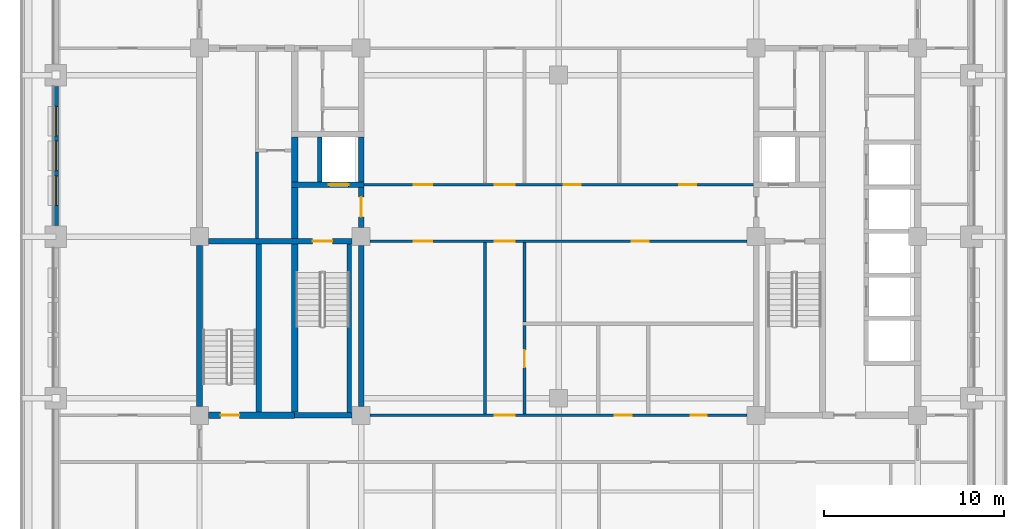
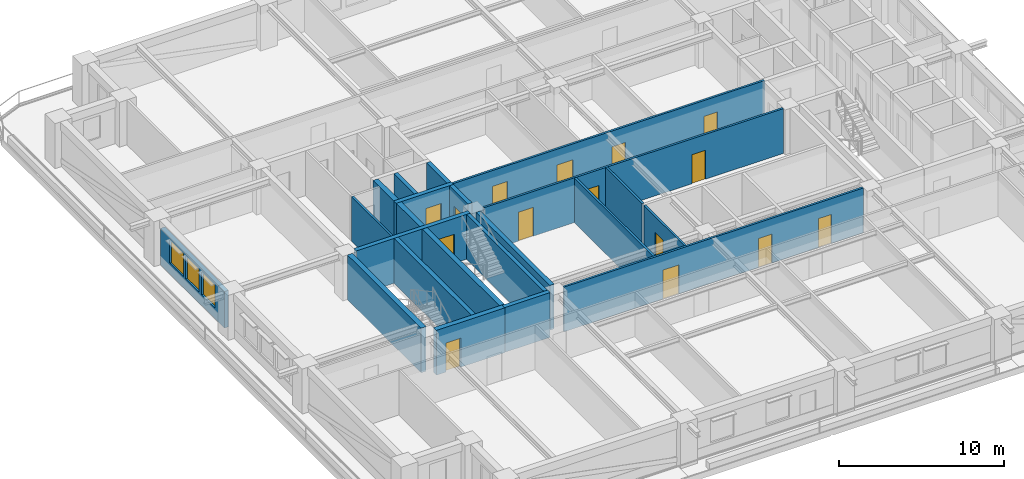
# One storey, part 3 of 15: 22 walls, 15 doors, 3 windows, 18 openings.
"""IFC4 building model written with IfcOpenShell, lengths in metres."""

from ifc_helpers import new_model, si_unit, direction, frame, frame_2d, origin, place, context, subcontext, project, spatial, rectangle, extrude, material, layer, layer_set, type_object, element, fill, save


model = new_model("IFC4")

# Units and contexts
model_context = context("Model", 3, precision=1e-05, world=origin(), true_north=direction((0.0, 1.0)))
body_context = subcontext(model_context, "Body", "Model", "MODEL_VIEW")
ifc_project = project(units=[si_unit("LENGTHUNIT", "METRE"), si_unit("AREAUNIT", "SQUARE_METRE"), si_unit("VOLUMEUNIT", "CUBIC_METRE"), si_unit("PLANEANGLEUNIT", "RADIAN"), si_unit("MASSUNIT", "GRAM", prefix="KILO")], contexts=[model_context])

# Site, building, storey
site_placement = place(None, origin())
site = spatial("IfcSite", under=ifc_project, at=site_placement, CompositionType="ELEMENT")
building_placement = place(site_placement, origin())
building = spatial("IfcBuilding", under=site, at=building_placement, Name="Zulmaris Gate Convention Tower", CompositionType="ELEMENT")
storey_placement = place(building_placement, frame((0.0, 0.0, 132.059814453125)))
storey = spatial("IfcBuildingStorey", under=building, at=storey_placement, Name="L33", CompositionType="ELEMENT", Elevation=132.059814453125)

# Walls
ifc_material_1 = material(Name="Concrete C50/60", Category="concrete")
ifc_layer_1 = layer(ifc_material_1, 0.25, Name="Concrete C50/60")
ifc_layer_set_1 = layer_set([ifc_layer_1], Name="Concrete C50/60")
wall_type_1 = type_object("IfcWallType", Name="CORE-250", PredefinedType="SOLIDWALL", material=ifc_layer_set_1)
wall_1_placement = place(storey_placement, frame((-13.300048828125, 3.052001953125, 0.0), z_axis=(0.0, 0.0, 1.0), x_axis=(0.0, 1.0, 0.0)))
element("IfcWall", 1, at=wall_1_placement, inside=storey, type_object=wall_type_1, Name="WL-L33-044", PredefinedType="SOLIDWALL", context=body_context, shape_type="SweptSolid", body=[
    extrude(rectangle(XDim=2.49609375, YDim=0.25, at=frame_2d((1.248046875, 0.0))), origin(), (0.0, 0.0, 1.0), 3.320068359375),
])
wall_2_placement = place(storey_placement, frame((-11.64990234375, -9.798095703125, 0.0), z_axis=(0.0, 0.0, 1.0), x_axis=(0.0, 1.0, 0.0)))
element("IfcWall", 2, at=wall_2_placement, inside=storey, type_object=wall_type_1, Name="WL-L33-045", PredefinedType="SOLIDWALL", context=body_context, shape_type="SweptSolid", body=[
    extrude(rectangle(XDim=9.39599609375, YDim=0.25, at=frame_2d((4.697998046875, 0.0))), origin(), (0.0, 0.0, 1.0), 3.320068359375),
])
ifc_layer_2 = layer(ifc_material_1, 0.300048828125, Name="Concrete C50/60")
ifc_layer_set_2 = layer_set([ifc_layer_2], Name="Concrete C50/60")
wall_type_2 = type_object("IfcWallType", Name="CORE-300", PredefinedType="SHEAR", material=ifc_layer_set_2)
wall_3_placement = place(storey_placement, frame((-14.699951171875, -9.949951171875, 0.0), z_axis=(0.0, 0.0, 1.0), x_axis=(1.0, 0.0, 0.0)))
element("IfcWall", 3, at=wall_3_placement, inside=storey, type_object=wall_type_2, Name="WL-L33-002", PredefinedType="SHEAR", context=body_context, shape_type="SweptSolid", body=[
    extrude(rectangle(XDim=3.196044921875, YDim=0.300048828125, at=frame_2d((1.59814453125, 0.0))), origin(), (0.0, 0.0, 1.0), 3.320068359375),
])

# Wall, opening, door
wall_4_placement = place(storey_placement, frame((-19.49609375, -0.25, 0.0), z_axis=(0.0, 0.0, 1.0), x_axis=(1.0, 0.0, 0.0)))
wall_4 = element("IfcWall", 4, at=wall_4_placement, inside=storey, type_object=wall_type_2, Name="WL-L33-008", PredefinedType="SHEAR", context=body_context, shape_type="SweptSolid", body=[
    extrude(rectangle(XDim=7.9921875, YDim=0.300048828125, at=frame_2d((3.99609375, 0.0))), origin(), (0.0, 0.0, 1.0), 3.320068359375),
])
opening_1_placement = place(wall_4_placement, frame((5.7958984375, 0.0, 0.0)))
opening_1 = element("IfcOpeningElement", 5, at=opening_1_placement, cuts=wall_4, Name="Opening D-08", PredefinedType="OPENING", context=body_context, shape_type="SweptSolid", body=[
    extrude(rectangle(XDim=1.10009765625, YDim=2.14990234375, at=frame_2d((0.550048828125, 1.074951171875))), frame((0.0, 0.16015625, 0.0), z_axis=(0.0, -1.0, 0.0), x_axis=(1.0, 0.0, 0.0)), (0.0, 0.0, 1.0), 0.320068359375),
])
ifc_material_2 = material(Name="Fire-Rated Steel", Category="steel")
door_type_1 = type_object("IfcDoorType", Name="DR-1100-FD", OperationType="NOTDEFINED", PredefinedType="DOOR", material=ifc_material_2)
door_1_placement = place(opening_1_placement, origin())
door_1 = element("IfcDoor", 6, at=door_1_placement, inside=storey, type_object=door_type_1, Name="L33 Exit Stair ST-1 Door 01", OperationType="SINGLE_SWING_RIGHT", OverallHeight=2.14990234375, OverallWidth=1.10009765625, PredefinedType="DOOR", context=body_context, shape_type="SweptSolid", body=[
    extrude(rectangle(XDim=1.10009765625, YDim=2.14990234375, at=frame_2d((0.550048828125, 1.074951171875))), frame((0.0, 0.02490234375, 0.0), z_axis=(0.0, -1.0, 0.0), x_axis=(1.0, 0.0, 0.0)), (0.0, 0.0, 1.0), 0.050048828125),
])
fill(opening_1, door_1)

wall_5_placement = place(storey_placement, frame((-14.875, 2.89990234375, 0.0), z_axis=(0.0, 0.0, 1.0), x_axis=(1.0, 0.0, 0.0)))
wall_5 = element("IfcWall", 7, at=wall_5_placement, inside=storey, type_object=wall_type_2, Name="WL-L33-012", PredefinedType="SHEAR", context=body_context, shape_type="SweptSolid", body=[
    extrude(rectangle(XDim=4.02490234375, YDim=0.300048828125, at=frame_2d((2.012451171875, 0.0))), origin(), (0.0, 0.0, 1.0), 3.320068359375),
])
opening_2_placement = place(wall_5_placement, frame((2.074951171875, 0.0, 0.0)))
opening_2 = element("IfcOpeningElement", 8, at=opening_2_placement, cuts=wall_5, Name="Opening D-06", PredefinedType="OPENING", context=body_context, shape_type="SweptSolid", body=[
    extrude(rectangle(XDim=1.10009765625, YDim=2.199951171875, at=frame_2d((0.550048828125, 1.10009765625))), frame((0.0, 0.16015625, 0.0), z_axis=(0.0, -1.0, 0.0), x_axis=(1.0, 0.0, 0.0)), (0.0, 0.0, 1.0), 0.320068359375),
])
ifc_material_3 = material(Name="Brushed Stainless Steel", Category="steel")
door_type_2 = type_object("IfcDoorType", Name="LD-1100", OperationType="NOTDEFINED", PredefinedType="DOOR", material=ifc_material_3)
door_2_placement = place(opening_2_placement, origin())
door_2 = element("IfcDoor", 9, at=door_2_placement, inside=storey, type_object=door_type_2, Name="L33 Lift Landing Door LF-01 03", OperationType="SLIDING_TO_LEFT", OverallHeight=2.199951171875, OverallWidth=1.10009765625, PredefinedType="DOOR", context=body_context, shape_type="SweptSolid", body=[
    extrude(rectangle(XDim=1.10009765625, YDim=2.199951171875, at=frame_2d((0.550048828125, 1.10009765625))), frame((0.0, 0.02490234375, 0.0), z_axis=(0.0, -1.0, 0.0), x_axis=(1.0, 0.0, 0.0)), (0.0, 0.0, 1.0), 0.050048828125),
])
fill(opening_2, door_2)

# Walls
wall_6_placement = place(storey_placement, frame((-16.699951171875, -9.77294921875, 0.0), z_axis=(0.0, 0.0, 1.0), x_axis=(0.0, 1.0, 0.0)))
element("IfcWall", 10, at=wall_6_placement, inside=storey, type_object=wall_type_2, Name="WL-L33-039", PredefinedType="SHEAR", context=body_context, shape_type="SweptSolid", body=[
    extrude(rectangle(XDim=9.370849609375, YDim=0.300048828125, at=frame_2d((4.685546875, 0.0))), origin(), (0.0, 0.0, 1.0), 3.320068359375),
])
wall_7_placement = place(storey_placement, frame((-11.0, -9.446044921875, 0.0), z_axis=(0.0, 0.0, 1.0), x_axis=(0.0, 1.0, 0.0)))
element("IfcWall", 11, at=wall_7_placement, inside=storey, type_object=wall_type_2, Name="WL-L33-046", PredefinedType="SHEAR", context=body_context, shape_type="SweptSolid", body=[
    extrude(rectangle(XDim=8.942138671875, YDim=0.300048828125, at=frame_2d((4.47119140625, 0.0))), origin(), (0.0, 0.0, 1.0), 3.320068359375),
])

# Wall, opening, door
wall_8_placement = place(storey_placement, frame((-11.0, 0.50390625, 0.0), z_axis=(0.0, 0.0, 1.0), x_axis=(0.0, 1.0, 0.0)))
wall_8 = element("IfcWall", 12, at=wall_8_placement, inside=storey, type_object=wall_type_2, Name="WL-L33-047", PredefinedType="SHEAR", context=body_context, shape_type="SweptSolid", body=[
    extrude(rectangle(XDim=2.244140625, YDim=0.300048828125, at=frame_2d((1.1220703125, 0.0))), origin(), (0.0, 0.0, 1.0), 3.320068359375),
])
opening_3_placement = place(wall_8_placement, frame((0.595947265625, 0.0, 0.0)))
opening_3 = element("IfcOpeningElement", 13, at=opening_3_placement, cuts=wall_8, Name="Opening D-08", PredefinedType="OPENING", context=body_context, shape_type="SweptSolid", body=[
    extrude(rectangle(XDim=1.10009765625, YDim=2.14990234375, at=frame_2d((0.550048828125, 1.074951171875))), frame((0.0, 0.16015625, 0.0), z_axis=(0.0, -1.0, 0.0), x_axis=(1.0, 0.0, 0.0)), (0.0, 0.0, 1.0), 0.320068359375),
])
door_3_placement = place(opening_3_placement, origin())
door_3 = element("IfcDoor", 14, at=door_3_placement, inside=storey, type_object=door_type_1, Name="L33 West Firefighting Lobby Door 02", OperationType="SINGLE_SWING_LEFT", OverallHeight=2.14990234375, OverallWidth=1.10009765625, PredefinedType="DOOR", context=body_context, shape_type="SweptSolid", body=[
    extrude(rectangle(XDim=1.10009765625, YDim=2.14990234375, at=frame_2d((0.550048828125, 1.074951171875))), frame((0.0, 0.02490234375, 0.0), z_axis=(0.0, -1.0, 0.0), x_axis=(1.0, 0.0, 0.0)), (0.0, 0.0, 1.0), 0.050048828125),
])
fill(opening_3, door_3)

# Wall
wall_9_placement = place(storey_placement, frame((-11.0, 3.052001953125, 0.0), z_axis=(0.0, 0.0, 1.0), x_axis=(0.0, 1.0, 0.0)))
element("IfcWall", 15, at=wall_9_placement, inside=storey, type_object=wall_type_2, Name="WL-L33-048", PredefinedType="SHEAR", context=body_context, shape_type="SweptSolid", body=[
    extrude(rectangle(XDim=2.49609375, YDim=0.300048828125, at=frame_2d((1.248046875, 0.0))), origin(), (0.0, 0.0, 1.0), 3.320068359375),
])

# Wall, opening, door
ifc_material_4 = material(Name="Concrete C55/67", Category="concrete")
ifc_layer_3 = layer(ifc_material_4, 0.35009765625, Name="Concrete C55/67")
ifc_layer_set_3 = layer_set([ifc_layer_3], Name="Concrete C55/67")
wall_type_3 = type_object("IfcWallType", Name="CORE-350", PredefinedType="SHEAR", material=ifc_layer_set_3)
wall_10_placement = place(storey_placement, frame((-19.49609375, -9.949951171875, 0.0), z_axis=(0.0, 0.0, 1.0), x_axis=(1.0, 0.0, 0.0)))
wall_10 = element("IfcWall", 16, at=wall_10_placement, inside=storey, type_object=wall_type_3, Name="WL-L33-001", PredefinedType="SHEAR", context=body_context, shape_type="SweptSolid", body=[
    extrude(rectangle(XDim=4.796142578125, YDim=0.35009765625, at=frame_2d((2.39794921875, 0.0))), origin(), (0.0, 0.0, 1.0), 3.320068359375),
])
opening_4_placement = place(wall_10_placement, frame((0.6708984375, 0.0, 0.0)))
opening_4 = element("IfcOpeningElement", 17, at=opening_4_placement, cuts=wall_10, Name="Opening D-09", PredefinedType="OPENING", context=body_context, shape_type="SweptSolid", body=[
    extrude(rectangle(XDim=1.050048828125, YDim=2.14990234375, at=frame_2d((0.52490234375, 1.074951171875))), frame((0.0, 0.18505859375, 0.0), z_axis=(0.0, -1.0, 0.0), x_axis=(1.0, 0.0, 0.0)), (0.0, 0.0, 1.0), 0.3701171875),
])
door_type_3 = type_object("IfcDoorType", Name="DR-1050-FD", OperationType="NOTDEFINED", PredefinedType="DOOR", material=ifc_material_2)
door_4_placement = place(opening_4_placement, origin())
door_4 = element("IfcDoor", 18, at=door_4_placement, inside=storey, type_object=door_type_3, Name="L33 Exit Stair ST-3 Door 13", OperationType="SINGLE_SWING_RIGHT", OverallHeight=2.14990234375, OverallWidth=1.050048828125, PredefinedType="DOOR", context=body_context, shape_type="SweptSolid", body=[
    extrude(rectangle(XDim=1.050048828125, YDim=2.14990234375, at=frame_2d((0.52490234375, 1.074951171875))), frame((0.0, 0.02490234375, 0.0), z_axis=(0.0, -1.0, 0.0), x_axis=(1.0, 0.0, 0.0)), (0.0, 0.0, 1.0), 0.050048828125),
])
fill(opening_4, door_4)

# Walls
wall_11_placement = place(storey_placement, frame((-20.0, -9.446044921875, 0.0), z_axis=(0.0, 0.0, 1.0), x_axis=(0.0, 1.0, 0.0)))
element("IfcWall", 19, at=wall_11_placement, inside=storey, type_object=wall_type_3, Name="WL-L33-037", PredefinedType="SHEAR", context=body_context, shape_type="SweptSolid", body=[
    extrude(rectangle(XDim=8.942138671875, YDim=0.35009765625, at=frame_2d((4.47119140625, 0.0))), origin(), (0.0, 0.0, 1.0), 3.320068359375),
])
wall_12_placement = place(storey_placement, frame((-14.699951171875, -9.77294921875, 0.0), z_axis=(0.0, 0.0, 1.0), x_axis=(0.0, 1.0, 0.0)))
element("IfcWall", 20, at=wall_12_placement, inside=storey, type_object=wall_type_3, Name="WL-L33-040", PredefinedType="SHEAR", context=body_context, shape_type="SweptSolid", body=[
    extrude(rectangle(XDim=9.370849609375, YDim=0.35009765625, at=frame_2d((4.685546875, 0.0))), origin(), (0.0, 0.0, 1.0), 3.320068359375),
])
wall_13_placement = place(storey_placement, frame((-14.699951171875, -0.097900390625, 0.0), z_axis=(0.0, 0.0, 1.0), x_axis=(0.0, 1.0, 0.0)))
element("IfcWall", 21, at=wall_13_placement, inside=storey, type_object=wall_type_3, Name="WL-L33-041", PredefinedType="SHEAR", context=body_context, shape_type="SweptSolid", body=[
    extrude(rectangle(XDim=2.845947265625, YDim=0.35009765625, at=frame_2d((1.4228515625, 0.0))), origin(), (0.0, 0.0, 1.0), 3.320068359375),
])
wall_14_placement = place(storey_placement, frame((-14.699951171875, 3.052001953125, 0.0), z_axis=(0.0, 0.0, 1.0), x_axis=(0.0, 1.0, 0.0)))
element("IfcWall", 22, at=wall_14_placement, inside=storey, type_object=wall_type_3, Name="WL-L33-042", PredefinedType="SHEAR", context=body_context, shape_type="SweptSolid", body=[
    extrude(rectangle(XDim=2.49609375, YDim=0.35009765625, at=frame_2d((1.248046875, 0.0))), origin(), (0.0, 0.0, 1.0), 3.320068359375),
])

# Wall, openings, doors
ifc_material_5 = material(Name="Gypsum Metal Stud Partition")
ifc_layer_4 = layer(ifc_material_5, 0.14990234375, Name="Gypsum Metal Stud Partition")
ifc_layer_set_4 = layer_set([ifc_layer_4], Name="Gypsum Metal Stud Partition")
wall_type_4 = type_object("IfcWallType", Name="PART-150", PredefinedType="PARTITIONING", material=ifc_layer_set_4)
wall_15_placement = place(storey_placement, frame((-10.493896484375, -9.949951171875, 0.0), z_axis=(0.0, 0.0, 1.0), x_axis=(1.0, 0.0, 0.0)))
wall_15 = element("IfcWall", 23, at=wall_15_placement, inside=storey, type_object=wall_type_4, Name="WL-L33-023", PredefinedType="PARTITIONING", context=body_context, shape_type="SweptSolid", body=[
    extrude(rectangle(XDim=20.98779296875, YDim=0.14990234375, at=frame_2d((10.493896484375, 0.0))), origin(), (0.0, 0.0, 1.0), 3.320068359375),
])
opening_5_placement = place(wall_15_placement, frame((6.944091796875, 0.0, 0.0)))
opening_5 = element("IfcOpeningElement", 24, at=opening_5_placement, cuts=wall_15, Name="Opening D-08", PredefinedType="OPENING", context=body_context, shape_type="SweptSolid", body=[
    extrude(rectangle(XDim=1.10009765625, YDim=2.14990234375, at=frame_2d((0.550048828125, 1.074951171875))), frame((0.0, 0.0849609375, 0.0), z_axis=(0.0, -1.0, 0.0), x_axis=(1.0, 0.0, 0.0)), (0.0, 0.0, 1.0), 0.169921875),
])
opening_6_placement = place(wall_15_placement, frame((13.618896484375, 0.0, 0.0)))
opening_6 = element("IfcOpeningElement", 25, at=opening_6_placement, cuts=wall_15, Name="Opening D-11", PredefinedType="OPENING", context=body_context, shape_type="SweptSolid", body=[
    extrude(rectangle(XDim=0.949951171875, YDim=2.14990234375, at=frame_2d((0.47509765625, 1.074951171875))), frame((0.0, 0.0849609375, 0.0), z_axis=(0.0, -1.0, 0.0), x_axis=(1.0, 0.0, 0.0)), (0.0, 0.0, 1.0), 0.169921875),
])
opening_7_placement = place(wall_15_placement, frame((17.843994140625, 0.0, 0.0)))
opening_7 = element("IfcOpeningElement", 26, at=opening_7_placement, cuts=wall_15, Name="Opening D-12", PredefinedType="OPENING", context=body_context, shape_type="SweptSolid", body=[
    extrude(rectangle(XDim=0.89990234375, YDim=2.14990234375, at=frame_2d((0.449951171875, 1.074951171875))), frame((0.0, 0.0849609375, 0.0), z_axis=(0.0, -1.0, 0.0), x_axis=(1.0, 0.0, 0.0)), (0.0, 0.0, 1.0), 0.169921875),
])
door_5_placement = place(opening_5_placement, origin())
door_5 = element("IfcDoor", 27, at=door_5_placement, inside=storey, type_object=door_type_1, Name="L33 South Gallery Link Door 26", OperationType="SINGLE_SWING_LEFT", OverallHeight=2.14990234375, OverallWidth=1.10009765625, PredefinedType="DOOR", context=body_context, shape_type="SweptSolid", body=[
    extrude(rectangle(XDim=1.10009765625, YDim=2.14990234375, at=frame_2d((0.550048828125, 1.074951171875))), frame((0.0, 0.02490234375, 0.0), z_axis=(0.0, -1.0, 0.0), x_axis=(1.0, 0.0, 0.0)), (0.0, 0.0, 1.0), 0.050048828125),
])
fill(opening_5, door_5)
ifc_material_6 = material(Name="Fire-Rated Timber", Category="wood")
door_type_4 = type_object("IfcDoorType", Name="DR-900-FD", OperationType="NOTDEFINED", PredefinedType="DOOR", material=ifc_material_6)
door_6_placement = place(opening_7_placement, origin())
door_6 = element("IfcDoor", 28, at=door_6_placement, inside=storey, type_object=door_type_4, Name="L33 Reprographics Office Door 44", OperationType="SINGLE_SWING_LEFT", OverallHeight=2.14990234375, OverallWidth=0.89990234375, PredefinedType="DOOR", context=body_context, shape_type="SweptSolid", body=[
    extrude(rectangle(XDim=0.89990234375, YDim=2.14990234375, at=frame_2d((0.449951171875, 1.074951171875))), frame((0.0, 0.02490234375, 0.0), z_axis=(0.0, -1.0, 0.0), x_axis=(1.0, 0.0, 0.0)), (0.0, 0.0, 1.0), 0.050048828125),
])
fill(opening_7, door_6)
door_type_5 = type_object("IfcDoorType", Name="DR-950-FD", OperationType="NOTDEFINED", PredefinedType="DOOR", material=ifc_material_6)
door_7_placement = place(opening_6_placement, origin())
door_7 = element("IfcDoor", 29, at=door_7_placement, inside=storey, type_object=door_type_5, Name="L33 Accessible WC Door 43", OperationType="SINGLE_SWING_RIGHT", OverallHeight=2.14990234375, OverallWidth=0.949951171875, PredefinedType="DOOR", context=body_context, shape_type="SweptSolid", body=[
    extrude(rectangle(XDim=0.949951171875, YDim=2.14990234375, at=frame_2d((0.47509765625, 1.074951171875))), frame((0.0, 0.02490234375, 0.0), z_axis=(0.0, -1.0, 0.0), x_axis=(1.0, 0.0, 0.0)), (0.0, 0.0, 1.0), 0.050048828125),
])
fill(opening_6, door_7)

wall_16_placement = place(storey_placement, frame((-10.493896484375, -0.25, 0.0), z_axis=(0.0, 0.0, 1.0), x_axis=(1.0, 0.0, 0.0)))
wall_16 = element("IfcWall", 30, at=wall_16_placement, inside=storey, type_object=wall_type_4, Name="WL-L33-026", PredefinedType="PARTITIONING", context=body_context, shape_type="SweptSolid", body=[
    extrude(rectangle(XDim=20.98779296875, YDim=0.14990234375, at=frame_2d((10.493896484375, 0.0))), origin(), (0.0, 0.0, 1.0), 3.320068359375),
])
opening_8_placement = place(wall_16_placement, frame((6.944091796875, 0.0, 0.0)))
opening_8 = element("IfcOpeningElement", 31, at=opening_8_placement, cuts=wall_16, Name="Opening D-08", PredefinedType="OPENING", context=body_context, shape_type="SweptSolid", body=[
    extrude(rectangle(XDim=1.10009765625, YDim=2.14990234375, at=frame_2d((0.550048828125, 1.074951171875))), frame((0.0, 0.0849609375, 0.0), z_axis=(0.0, -1.0, 0.0), x_axis=(1.0, 0.0, 0.0)), (0.0, 0.0, 1.0), 0.169921875),
])
opening_9_placement = place(wall_16_placement, frame((2.4189453125, 0.0, 0.0)))
opening_9 = element("IfcOpeningElement", 32, at=opening_9_placement, cuts=wall_16, Name="Opening D-09", PredefinedType="OPENING", context=body_context, shape_type="SweptSolid", body=[
    extrude(rectangle(XDim=1.050048828125, YDim=2.14990234375, at=frame_2d((0.52490234375, 1.074951171875))), frame((0.0, 0.0849609375, 0.0), z_axis=(0.0, -1.0, 0.0), x_axis=(1.0, 0.0, 0.0)), (0.0, 0.0, 1.0), 0.169921875),
])
opening_10_placement = place(wall_16_placement, frame((14.569091796875, 0.0, 0.0)))
opening_10 = element("IfcOpeningElement", 33, at=opening_10_placement, cuts=wall_16, Name="Opening D-11", PredefinedType="OPENING", context=body_context, shape_type="SweptSolid", body=[
    extrude(rectangle(XDim=0.949951171875, YDim=2.14990234375, at=frame_2d((0.47509765625, 1.074951171875))), frame((0.0, 0.0849609375, 0.0), z_axis=(0.0, -1.0, 0.0), x_axis=(1.0, 0.0, 0.0)), (0.0, 0.0, 1.0), 0.169921875),
])
door_8_placement = place(opening_9_placement, origin())
door_8 = element("IfcDoor", 34, at=door_8_placement, inside=storey, type_object=door_type_3, Name="L33 Sky Library Door 40", OperationType="SINGLE_SWING_LEFT", OverallHeight=2.14990234375, OverallWidth=1.050048828125, PredefinedType="DOOR", context=body_context, shape_type="SweptSolid", body=[
    extrude(rectangle(XDim=1.050048828125, YDim=2.14990234375, at=frame_2d((0.52490234375, 1.074951171875))), frame((0.0, 0.02490234375, 0.0), z_axis=(0.0, -1.0, 0.0), x_axis=(1.0, 0.0, 0.0)), (0.0, 0.0, 1.0), 0.050048828125),
])
fill(opening_9, door_8)
door_9_placement = place(opening_8_placement, origin())
door_9 = element("IfcDoor", 35, at=door_9_placement, inside=storey, type_object=door_type_1, Name="L33 Cross Spine South Door 28", OperationType="SINGLE_SWING_LEFT", OverallHeight=2.14990234375, OverallWidth=1.10009765625, PredefinedType="DOOR", context=body_context, shape_type="SweptSolid", body=[
    extrude(rectangle(XDim=1.10009765625, YDim=2.14990234375, at=frame_2d((0.550048828125, 1.074951171875))), frame((0.0, 0.02490234375, 0.0), z_axis=(0.0, -1.0, 0.0), x_axis=(1.0, 0.0, 0.0)), (0.0, 0.0, 1.0), 0.050048828125),
])
fill(opening_8, door_9)
door_10_placement = place(opening_10_placement, origin())
door_10 = element("IfcDoor", 36, at=door_10_placement, inside=storey, type_object=door_type_5, Name="L33 Public WC Door 41", OperationType="SINGLE_SWING_RIGHT", OverallHeight=2.14990234375, OverallWidth=0.949951171875, PredefinedType="DOOR", context=body_context, shape_type="SweptSolid", body=[
    extrude(rectangle(XDim=0.949951171875, YDim=2.14990234375, at=frame_2d((0.47509765625, 1.074951171875))), frame((0.0, 0.02490234375, 0.0), z_axis=(0.0, -1.0, 0.0), x_axis=(1.0, 0.0, 0.0)), (0.0, 0.0, 1.0), 0.050048828125),
])
fill(opening_10, door_10)

wall_17_placement = place(storey_placement, frame((-11.0, 2.89990234375, 0.0), z_axis=(0.0, 0.0, 1.0), x_axis=(1.0, 0.0, 0.0)))
wall_17 = element("IfcWall", 37, at=wall_17_placement, inside=storey, type_object=wall_type_4, Name="WL-L33-028", PredefinedType="PARTITIONING", context=body_context, shape_type="SweptSolid", body=[
    extrude(rectangle(XDim=22.0, YDim=0.14990234375, at=frame_2d((11.0, 0.0))), origin(), (0.0, 0.0, 1.0), 3.320068359375),
])
opening_11_placement = place(wall_17_placement, frame((7.449951171875, 0.0, 0.0)))
opening_11 = element("IfcOpeningElement", 38, at=opening_11_placement, cuts=wall_17, Name="Opening D-08", PredefinedType="OPENING", context=body_context, shape_type="SweptSolid", body=[
    extrude(rectangle(XDim=1.10009765625, YDim=2.14990234375, at=frame_2d((0.550048828125, 1.074951171875))), frame((0.0, 0.0849609375, 0.0), z_axis=(0.0, -1.0, 0.0), x_axis=(1.0, 0.0, 0.0)), (0.0, 0.0, 1.0), 0.169921875),
])
opening_12_placement = place(wall_17_placement, frame((2.925048828125, 0.0, 0.0)))
opening_12 = element("IfcOpeningElement", 39, at=opening_12_placement, cuts=wall_17, Name="Opening D-09", PredefinedType="OPENING", context=body_context, shape_type="SweptSolid", body=[
    extrude(rectangle(XDim=1.050048828125, YDim=2.14990234375, at=frame_2d((0.52490234375, 1.074951171875))), frame((0.0, 0.0849609375, 0.0), z_axis=(0.0, -1.0, 0.0), x_axis=(1.0, 0.0, 0.0)), (0.0, 0.0, 1.0), 0.169921875),
])
opening_13_placement = place(wall_17_placement, frame((11.27490234375, 0.0, 0.0)))
opening_13 = element("IfcOpeningElement", 40, at=opening_13_placement, cuts=wall_17, Name="Opening D-11", PredefinedType="OPENING", context=body_context, shape_type="SweptSolid", body=[
    extrude(rectangle(XDim=0.949951171875, YDim=2.14990234375, at=frame_2d((0.47509765625, 1.074951171875))), frame((0.0, 0.0849609375, 0.0), z_axis=(0.0, -1.0, 0.0), x_axis=(1.0, 0.0, 0.0)), (0.0, 0.0, 1.0), 0.169921875),
])
opening_14_placement = place(wall_17_placement, frame((17.72509765625, 0.0, 0.0)))
opening_14 = element("IfcOpeningElement", 41, at=opening_14_placement, cuts=wall_17, Name="Opening D-11", PredefinedType="OPENING", context=body_context, shape_type="SweptSolid", body=[
    extrude(rectangle(XDim=0.949951171875, YDim=2.14990234375, at=frame_2d((0.47509765625, 1.074951171875))), frame((0.0, 0.0849609375, 0.0), z_axis=(0.0, -1.0, 0.0), x_axis=(1.0, 0.0, 0.0)), (0.0, 0.0, 1.0), 0.169921875),
])
door_11_placement = place(opening_12_placement, origin())
door_11 = element("IfcDoor", 42, at=door_11_placement, inside=storey, type_object=door_type_3, Name="L33 Reception Door 37", OperationType="SINGLE_SWING_RIGHT", OverallHeight=2.14990234375, OverallWidth=1.050048828125, PredefinedType="DOOR", context=body_context, shape_type="SweptSolid", body=[
    extrude(rectangle(XDim=1.050048828125, YDim=2.14990234375, at=frame_2d((0.52490234375, 1.074951171875))), frame((0.0, 0.02490234375, 0.0), z_axis=(0.0, -1.0, 0.0), x_axis=(1.0, 0.0, 0.0)), (0.0, 0.0, 1.0), 0.050048828125),
])
fill(opening_12, door_11)
door_12_placement = place(opening_11_placement, origin())
door_12 = element("IfcDoor", 43, at=door_12_placement, inside=storey, type_object=door_type_1, Name="L33 Cross Spine North Door 27", OperationType="SINGLE_SWING_RIGHT", OverallHeight=2.14990234375, OverallWidth=1.10009765625, PredefinedType="DOOR", context=body_context, shape_type="SweptSolid", body=[
    extrude(rectangle(XDim=1.10009765625, YDim=2.14990234375, at=frame_2d((0.550048828125, 1.074951171875))), frame((0.0, 0.02490234375, 0.0), z_axis=(0.0, -1.0, 0.0), x_axis=(1.0, 0.0, 0.0)), (0.0, 0.0, 1.0), 0.050048828125),
])
fill(opening_11, door_12)
door_13_placement = place(opening_13_placement, origin())
door_13 = element("IfcDoor", 44, at=door_13_placement, inside=storey, type_object=door_type_5, Name="L33 Briefing Door 38", OperationType="SINGLE_SWING_LEFT", OverallHeight=2.14990234375, OverallWidth=0.949951171875, PredefinedType="DOOR", context=body_context, shape_type="SweptSolid", body=[
    extrude(rectangle(XDim=0.949951171875, YDim=2.14990234375, at=frame_2d((0.47509765625, 1.074951171875))), frame((0.0, 0.02490234375, 0.0), z_axis=(0.0, -1.0, 0.0), x_axis=(1.0, 0.0, 0.0)), (0.0, 0.0, 1.0), 0.050048828125),
])
fill(opening_13, door_13)
door_14_placement = place(opening_14_placement, origin())
door_14 = element("IfcDoor", 45, at=door_14_placement, inside=storey, type_object=door_type_5, Name="L33 Dining Pantry Door 39", OperationType="SINGLE_SWING_RIGHT", OverallHeight=2.14990234375, OverallWidth=0.949951171875, PredefinedType="DOOR", context=body_context, shape_type="SweptSolid", body=[
    extrude(rectangle(XDim=0.949951171875, YDim=2.14990234375, at=frame_2d((0.47509765625, 1.074951171875))), frame((0.0, 0.02490234375, 0.0), z_axis=(0.0, -1.0, 0.0), x_axis=(1.0, 0.0, 0.0)), (0.0, 0.0, 1.0), 0.050048828125),
])
fill(opening_14, door_14)

# Walls
wall_18_placement = place(storey_placement, frame((-16.800048828125, -0.096923828125, 0.0), z_axis=(0.0, 0.0, 1.0), x_axis=(0.0, 1.0, 0.0)))
element("IfcWall", 46, at=wall_18_placement, inside=storey, type_object=wall_type_4, Name="WL-L33-076", PredefinedType="PARTITIONING", context=body_context, shape_type="SweptSolid", body=[
    extrude(rectangle(XDim=4.81884765625, YDim=0.14990234375, at=frame_2d((2.409423828125, 0.0))), origin(), (0.0, 0.0, 1.0), 3.320068359375),
])
wall_19_placement = place(storey_placement, frame((-4.10009765625, -9.8720703125, 0.0), z_axis=(0.0, 0.0, 1.0), x_axis=(0.0, 1.0, 0.0)))
element("IfcWall", 47, at=wall_19_placement, inside=storey, type_object=wall_type_4, Name="WL-L33-083", PredefinedType="PARTITIONING", context=body_context, shape_type="SweptSolid", body=[
    extrude(rectangle(XDim=9.544189453125, YDim=0.14990234375, at=frame_2d((4.77197265625, 0.0))), origin(), (0.0, 0.0, 1.0), 3.320068359375),
])

# Wall, opening, door
wall_20_placement = place(storey_placement, frame((-1.89990234375, -9.8720703125, 0.0), z_axis=(0.0, 0.0, 1.0), x_axis=(0.0, 1.0, 0.0)))
wall_20 = element("IfcWall", 48, at=wall_20_placement, inside=storey, type_object=wall_type_4, Name="WL-L33-085", PredefinedType="PARTITIONING", context=body_context, shape_type="SweptSolid", body=[
    extrude(rectangle(XDim=4.919189453125, YDim=0.14990234375, at=frame_2d((2.45947265625, 0.0))), origin(), (0.0, 0.0, 1.0), 3.320068359375),
])
opening_15_placement = place(wall_20_placement, frame((2.596923828125, 0.0, 0.0)))
opening_15 = element("IfcOpeningElement", 49, at=opening_15_placement, cuts=wall_20, Name="Opening D-11", PredefinedType="OPENING", context=body_context, shape_type="SweptSolid", body=[
    extrude(rectangle(XDim=0.949951171875, YDim=2.14990234375, at=frame_2d((0.47509765625, 1.074951171875))), frame((0.0, 0.0849609375, 0.0), z_axis=(0.0, -1.0, 0.0), x_axis=(1.0, 0.0, 0.0)), (0.0, 0.0, 1.0), 0.169921875),
])
door_15_placement = place(opening_15_placement, origin())
door_15 = element("IfcDoor", 50, at=door_15_placement, inside=storey, type_object=door_type_5, Name="L33 Hygiene Supply Door 42", OperationType="SINGLE_SWING_LEFT", OverallHeight=2.14990234375, OverallWidth=0.949951171875, PredefinedType="DOOR", context=body_context, shape_type="SweptSolid", body=[
    extrude(rectangle(XDim=0.949951171875, YDim=2.14990234375, at=frame_2d((0.47509765625, 1.074951171875))), frame((0.0, 0.02490234375, 0.0), z_axis=(0.0, -1.0, 0.0), x_axis=(1.0, 0.0, 0.0)), (0.0, 0.0, 1.0), 0.050048828125),
])
fill(opening_15, door_15)

# Wall
wall_21_placement = place(storey_placement, frame((-1.89990234375, -4.7470703125, 0.0), z_axis=(0.0, 0.0, 1.0), x_axis=(0.0, 1.0, 0.0)))
element("IfcWall", 51, at=wall_21_placement, inside=storey, type_object=wall_type_4, Name="WL-L33-086", PredefinedType="PARTITIONING", context=body_context, shape_type="SweptSolid", body=[
    extrude(rectangle(XDim=4.419189453125, YDim=0.14990234375, at=frame_2d((2.20947265625, 0.0))), origin(), (0.0, 0.0, 1.0), 3.320068359375),
])

# Wall, openings, windows
ifc_material_7 = material(Name="Precast concrete C40/50", Category="concrete")
ifc_layer_5 = layer(ifc_material_7, 0.300048828125, Name="Precast concrete C40/50")
ifc_layer_set_5 = layer_set([ifc_layer_5], Name="Precast concrete C40/50")
wall_type_5 = type_object("IfcWallType", Name="PRECAST-PIER-300", PredefinedType="STANDARD", material=ifc_layer_set_5)
wall_22_placement = place(storey_placement, frame((-28.0, 8.3701171875, 0.0), z_axis=(0.0, 0.0, 1.0), x_axis=(0.0, -1.0, 0.0)))
wall_22 = element("IfcWall", 52, at=wall_22_placement, inside=storey, type_object=wall_type_5, Name="EW-L33-W-2_0", PredefinedType="STANDARD", context=body_context, shape_type="SweptSolid", body=[
    extrude(rectangle(XDim=7.740234375, YDim=0.300048828125, at=frame_2d((3.8701171875, 0.0))), origin(), (0.0, 0.0, 1.0), 2.712158203125),
])
opening_16_placement = place(wall_22_placement, frame((1.110107421875, 0.0, 0.800048828125)))
opening_16 = element("IfcOpeningElement", 53, at=opening_16_placement, cuts=wall_22, Name="Opening W-08", PredefinedType="OPENING", context=body_context, shape_type="SweptSolid", body=[
    extrude(rectangle(XDim=1.64990234375, YDim=1.699951171875, at=frame_2d((0.824951171875, 0.85009765625))), frame((0.0, 0.16015625, 0.0), z_axis=(0.0, -1.0, 0.0), x_axis=(1.0, 0.0, 0.0)), (0.0, 0.0, 1.0), 0.320068359375),
])
opening_17_placement = place(wall_22_placement, frame((3.044921875, 0.0, 0.800048828125)))
opening_17 = element("IfcOpeningElement", 54, at=opening_17_placement, cuts=wall_22, Name="Opening W-08", PredefinedType="OPENING", context=body_context, shape_type="SweptSolid", body=[
    extrude(rectangle(XDim=1.64990234375, YDim=1.699951171875, at=frame_2d((0.824951171875, 0.85009765625))), frame((0.0, 0.16015625, 0.0), z_axis=(0.0, -1.0, 0.0), x_axis=(1.0, 0.0, 0.0)), (0.0, 0.0, 1.0), 0.320068359375),
])
opening_18_placement = place(wall_22_placement, frame((4.97998046875, 0.0, 0.800048828125)))
opening_18 = element("IfcOpeningElement", 55, at=opening_18_placement, cuts=wall_22, Name="Opening W-08", PredefinedType="OPENING", context=body_context, shape_type="SweptSolid", body=[
    extrude(rectangle(XDim=1.64990234375, YDim=1.699951171875, at=frame_2d((0.824951171875, 0.85009765625))), frame((0.0, 0.16015625, 0.0), z_axis=(0.0, -1.0, 0.0), x_axis=(1.0, 0.0, 0.0)), (0.0, 0.0, 1.0), 0.320068359375),
])
ifc_material_8 = material(Name="Low-E Laminated Double Glazing in Aluminium Frame", Category="aluminium")
window_type = type_object("IfcWindowType", Name="WIN-1650x2150", PartitioningType="SINGLE_PANEL", PredefinedType="WINDOW", material=ifc_material_8)
window_1_placement = place(opening_16_placement, origin())
window_1 = element("IfcWindow", 56, at=window_1_placement, inside=storey, type_object=window_type, Name="WN-EW-L33-W-2_0-1", OverallHeight=1.699951171875, OverallWidth=1.64990234375, PartitioningType="SINGLE_PANEL", PredefinedType="WINDOW", context=body_context, shape_type="SweptSolid", body=[
    extrude(rectangle(XDim=1.64990234375, YDim=1.699951171875, at=frame_2d((0.824951171875, 0.85009765625))), frame((0.0, 0.030029296875, 0.0), z_axis=(0.0, -1.0, 0.0), x_axis=(1.0, 0.0, 0.0)), (0.0, 0.0, 1.0), 0.06005859375),
])
fill(opening_16, window_1)
window_2_placement = place(opening_17_placement, origin())
window_2 = element("IfcWindow", 57, at=window_2_placement, inside=storey, type_object=window_type, Name="WN-EW-L33-W-2_0-2", OverallHeight=1.699951171875, OverallWidth=1.64990234375, PartitioningType="SINGLE_PANEL", PredefinedType="WINDOW", context=body_context, shape_type="SweptSolid", body=[
    extrude(rectangle(XDim=1.64990234375, YDim=1.699951171875, at=frame_2d((0.824951171875, 0.85009765625))), frame((0.0, 0.030029296875, 0.0), z_axis=(0.0, -1.0, 0.0), x_axis=(1.0, 0.0, 0.0)), (0.0, 0.0, 1.0), 0.06005859375),
])
fill(opening_17, window_2)
window_3_placement = place(opening_18_placement, origin())
window_3 = element("IfcWindow", 58, at=window_3_placement, inside=storey, type_object=window_type, Name="WN-EW-L33-W-2_0-3", OverallHeight=1.699951171875, OverallWidth=1.64990234375, PartitioningType="SINGLE_PANEL", PredefinedType="WINDOW", context=body_context, shape_type="SweptSolid", body=[
    extrude(rectangle(XDim=1.64990234375, YDim=1.699951171875, at=frame_2d((0.824951171875, 0.85009765625))), frame((0.0, 0.030029296875, 0.0), z_axis=(0.0, -1.0, 0.0), x_axis=(1.0, 0.0, 0.0)), (0.0, 0.0, 1.0), 0.06005859375),
])
fill(opening_18, window_3)

save(model, "model.ifc")
